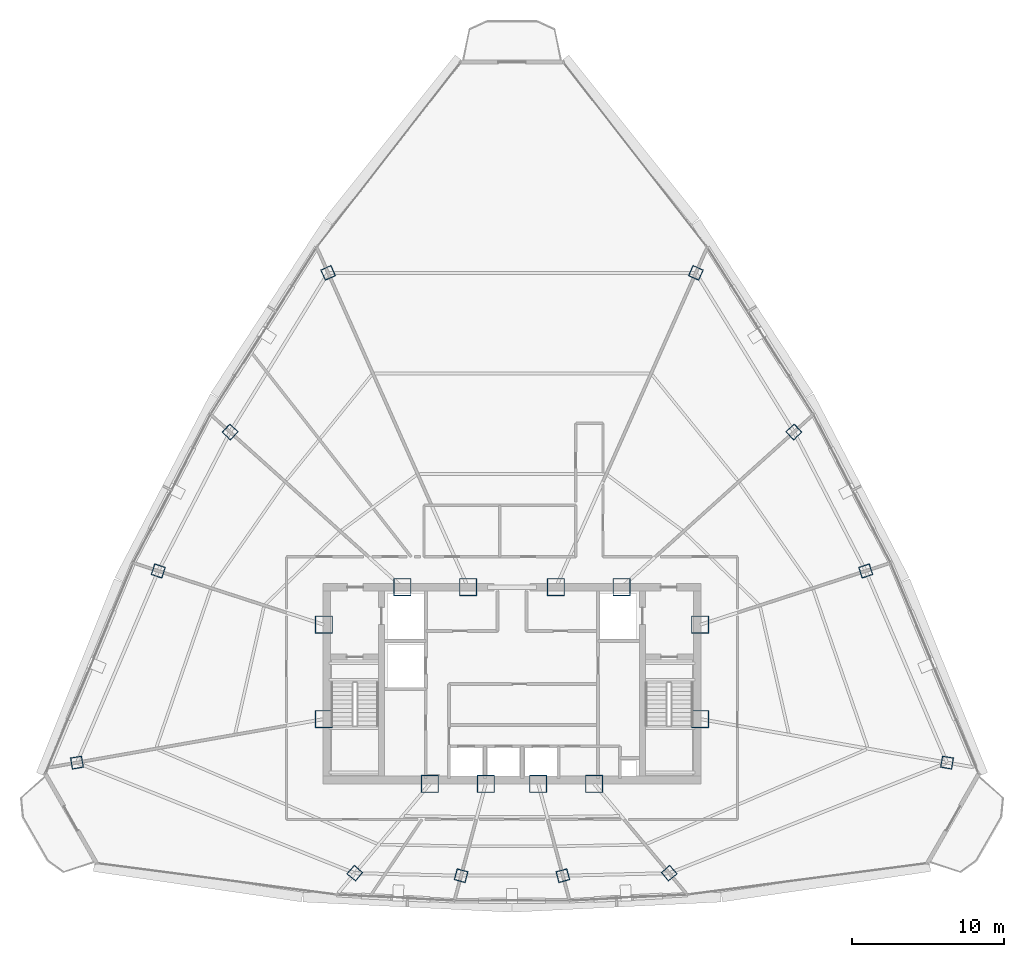
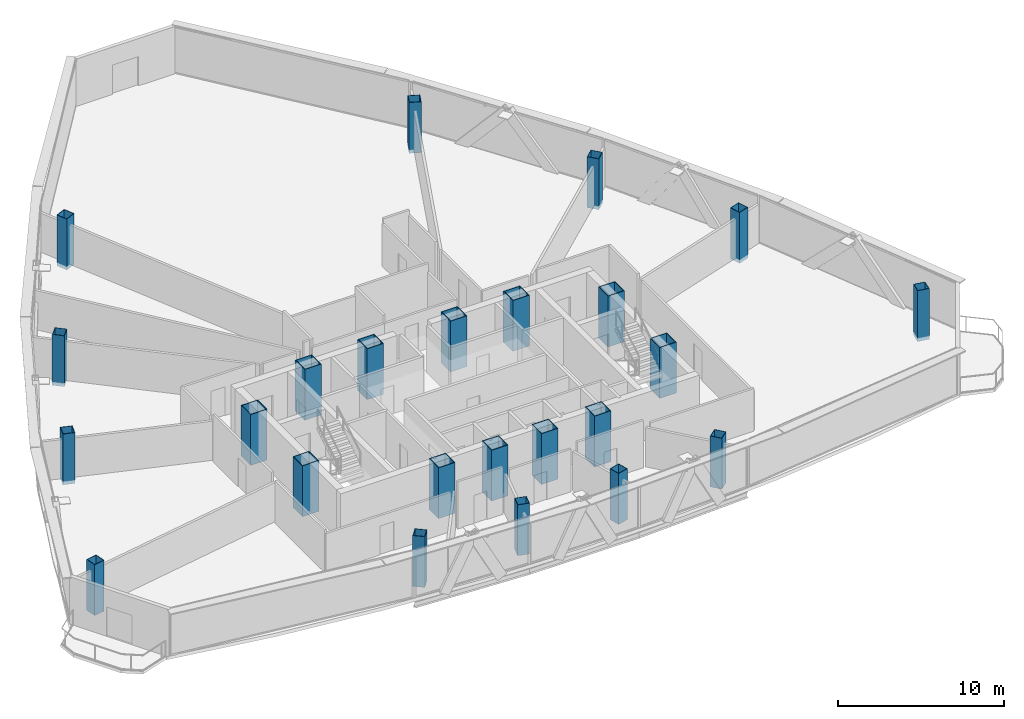
# One storey, part 1 of 33: 24 columns.
"""IFC4 building model written with IfcOpenShell, lengths in metres."""

from ifc_helpers import new_model, si_unit, direction, frame, origin, origin_2d, place, context, subcontext, project, spatial, hollow_rectangle, extrude, source, transform, mapped, material, material_profile, profile_set, type_object, element, save


model = new_model("IFC4")

# Units and contexts
model_context = context("Model", 3, precision=1e-05, world=origin(), true_north=direction((0.0, 1.0)))
body_context = subcontext(model_context, "Body", "Model", "MODEL_VIEW")
ifc_project = project(units=[si_unit("LENGTHUNIT", "METRE"), si_unit("AREAUNIT", "SQUARE_METRE"), si_unit("VOLUMEUNIT", "CUBIC_METRE"), si_unit("PLANEANGLEUNIT", "RADIAN"), si_unit("MASSUNIT", "GRAM", prefix="KILO"), si_unit("THERMODYNAMICTEMPERATUREUNIT", "KELVIN"), si_unit("POWERUNIT", "WATT")], contexts=[model_context])

# Site, building, storey
site_placement = place(None, origin())
site = spatial("IfcSite", under=ifc_project, at=site_placement, CompositionType="ELEMENT")
building_placement = place(site_placement, origin())
building = spatial("IfcBuilding", under=site, at=building_placement, Name="Yunzhuo Pagoda Commons", CompositionType="ELEMENT")
storey_placement = place(building_placement, frame((0.0, 0.0, 307.39990234375)))
storey = spatial("IfcBuildingStorey", under=building, at=storey_placement, Name="L77", CompositionType="ELEMENT", Elevation=307.39990234375)

# Columns
ifc_material_1 = material(Name="Structural steel Q420B", Category="steel")
ifc_material_profile_1 = material_profile(ifc_material_1, hollow_rectangle(XDim=1.14990234375, YDim=1.14990234375, WallThickness=0.048095703125, at=origin_2d()), Name="Structural steel Q420B")
ifc_profile_set_1 = profile_set([ifc_material_profile_1], Name="Structural steel Q420B")
column_type_1 = type_object("IfcColumnType", Name="C-COR Column BOX 1150x1150x48", PredefinedType="COLUMN", material=ifc_profile_set_1)
shared_shape_1 = source(origin(), body_context, "Body", "SweptSolid", [
    extrude(hollow_rectangle(XDim=1.14990234375, YDim=1.14990234375, WallThickness=0.048095703125, at=origin_2d()), origin(), (0.0, 0.0, 1.0), 3.730224609375),
])
for number, where, z_axis, x_axis, name in (
    (1, (42.587890625, 27.25, -0.260009765625), (0.0, 0.0, 1.0), (1.0, 0.0, 0.0), "L77 core composite column F1C1"),
    (2, (46.27197265625, 27.25, -0.260009765625), (0.0, 0.0, 1.0), (1.0, 0.0, 0.0), "L77 core composite column F1C2"),
    (3, (49.728515625, 27.25, -0.260009765625), (0.0, 0.0, 1.0), (1.0, 0.0, 0.0), "L77 core composite column F1C3"),
    (4, (53.412109375, 27.25, -0.260009765625), (0.0, 0.0, 1.0), (1.0, 0.0, 0.0), "L77 core composite column F1C4"),
    (5, (60.39990234375, 31.513427734375, -0.260009765625), (0.0, 0.0, 1.0), (1.0, 0.0, 0.0), "L77 core composite column F2C1"),
    (6, (60.39990234375, 37.72900390625, -0.260009765625), (0.0, 0.0, 1.0), (1.0, 0.0, 0.0), "L77 core composite column F2C2"),
    (7, (55.218994140625, 40.199951171875, -0.260009765625), (0.0, 0.0, 1.0), (1.0, 0.0, 0.0), "L77 core composite column F2C3"),
    (8, (50.89404296875, 40.199951171875, -0.260009765625), (0.0, 0.0, 1.0), (1.0, 0.0, 0.0), "L77 core composite column F2C4"),
    (9, (45.10595703125, 40.199951171875, -0.260009765625), (0.0, 0.0, 1.0), (1.0, 0.0, 0.0), "L77 core composite column F3C1"),
    (10, (40.781005859375, 40.199951171875, -0.260009765625), (0.0, 0.0, 1.0), (1.0, 0.0, 0.0), "L77 core composite column F3C2"),
    (11, (35.60009765625, 37.72900390625, -0.260009765625), (0.0, 0.0, 1.0), (1.0, 0.0, 0.0), "L77 core composite column F3C3"),
    (12, (35.60009765625, 31.513427734375, -0.260009765625), (0.0, 0.0, 1.0), (1.0, 0.0, 0.0), "L77 core composite column F3C4"),
):
    element("IfcColumn", number, at=place(storey_placement, frame(where, z_axis=z_axis, x_axis=x_axis)), inside=storey, type_object=column_type_1, Name=name, PredefinedType="COLUMN", context=body_context, shape_type="MappedRepresentation", body=[
        mapped(shared_shape_1, transform((0.0, 0.0, 0.0), scale=1.0)),
    ])
ifc_material_2 = material(Name="Structural steel Q355B", Category="steel")
ifc_material_profile_2 = material_profile(ifc_material_2, hollow_rectangle(XDim=0.75, YDim=0.75, WallThickness=0.028076171875, at=origin_2d()), Name="Structural steel Q355B")
ifc_profile_set_2 = profile_set([ifc_material_profile_2], Name="Structural steel Q355B")
column_type_2 = type_object("IfcColumnType", Name="C-Z6 Column BOX 750x750x28", PredefinedType="COLUMN", material=ifc_profile_set_2)
shared_shape_2 = source(origin(), body_context, "Body", "SweptSolid", [
    extrude(hollow_rectangle(XDim=0.75, YDim=0.75, WallThickness=0.028076171875, at=origin_2d()), origin(), (0.0, 0.0, 1.0), 3.730224609375),
])
for number, where, z_axis, x_axis, name in (
    (13, (37.64697265625, 21.361572265625, -0.260009765625), (0.0, 0.0, 1.0), (0.766044443119, -0.642787609687, 0.0), "L77 tower column F1C1"),
    (14, (44.6494140625, 21.195556640625, -0.260009765625), (0.0, 0.0, 1.0), (0.965925826289, -0.258819045103, 0.0), "L77 tower column F1C2"),
    (15, (51.3505859375, 21.195556640625, -0.260009765625), (0.0, 0.0, 1.0), (0.965925826289, 0.258819045103, 0.0), "L77 tower column F1C3"),
    (16, (58.353515625, 21.361572265625, -0.260009765625), (0.0, 0.0, 1.0), (0.766044443119, 0.642787609687, 0.0), "L77 tower column F1C4"),
    (17, (76.66162109375, 28.646240234375, -0.260009765625), (0.0, 0.0, 1.0), (0.173648177667, 0.984807753012, 0.0), "L77 tower column F2C1"),
    (18, (71.302490234375, 41.271484375, -0.260009765625), (0.0, 0.0, 1.0), (-0.309016994375, 0.951056516295, 0.0), "L77 tower column F2C2"),
    (19, (66.5732421875, 50.423583984375, -0.260009765625), (0.0, 0.0, 1.0), (-0.669130606359, 0.743144825477, 0.0), "L77 tower column F2C3"),
    (20, (60.1142578125, 60.9091796875, -0.260009765625), (0.0, 0.0, 1.0), (-0.913545457643, 0.406736643076, 0.0), "L77 tower column F2C4"),
    (21, (35.8857421875, 60.9091796875, -0.260009765625), (0.0, 0.0, 1.0), (-0.913545457643, -0.406736643076, 0.0), "L77 tower column F3C1"),
    (22, (29.4267578125, 50.423583984375, -0.260009765625), (0.0, 0.0, 1.0), (-0.669130606359, -0.743144825477, 0.0), "L77 tower column F3C2"),
    (23, (24.697509765625, 41.271484375, -0.260009765625), (0.0, 0.0, 1.0), (-0.309016994375, -0.951056516295, 0.0), "L77 tower column F3C3"),
    (24, (19.33837890625, 28.646240234375, -0.260009765625), (0.0, 0.0, 1.0), (0.173648177667, -0.984807753012, 0.0), "L77 tower column F3C4"),
):
    element("IfcColumn", number, at=place(storey_placement, frame(where, z_axis=z_axis, x_axis=x_axis)), inside=storey, type_object=column_type_2, Name=name, PredefinedType="COLUMN", context=body_context, shape_type="MappedRepresentation", body=[
        mapped(shared_shape_2, transform((0.0, 0.0, 0.0), scale=1.0)),
    ])

save(model, "model.ifc")
